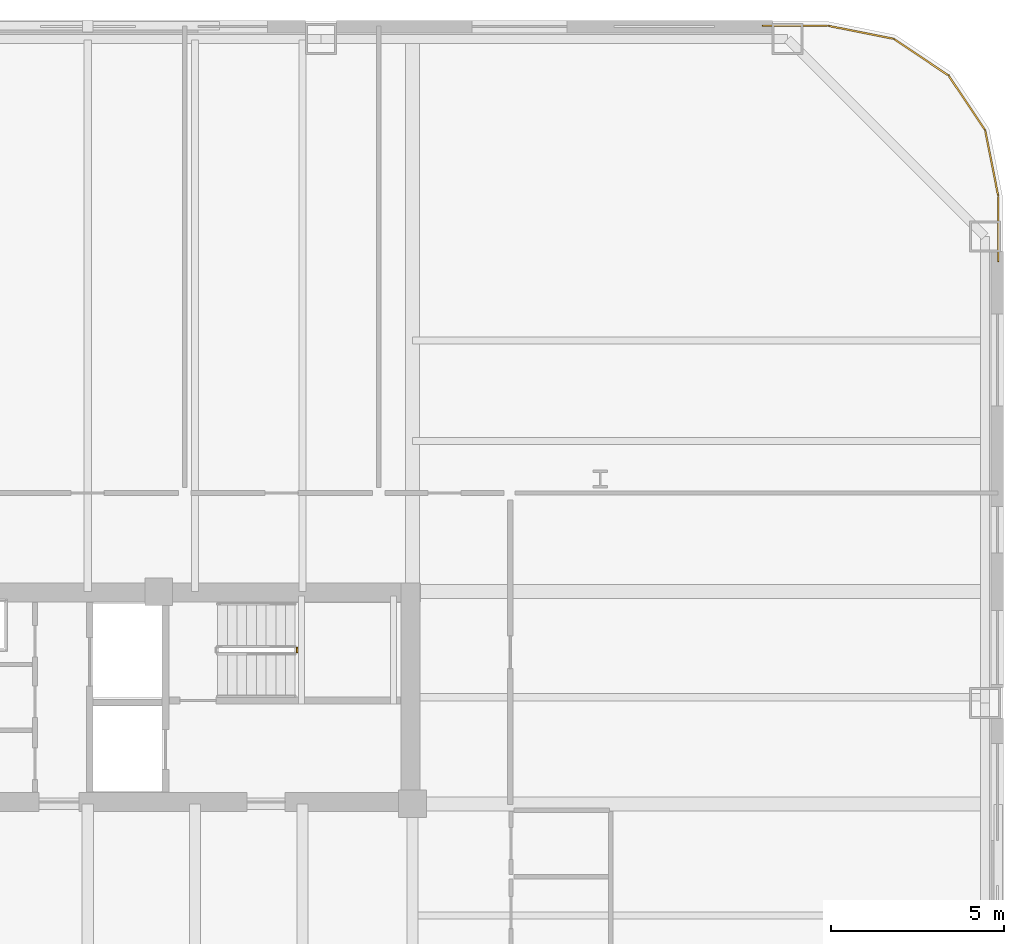
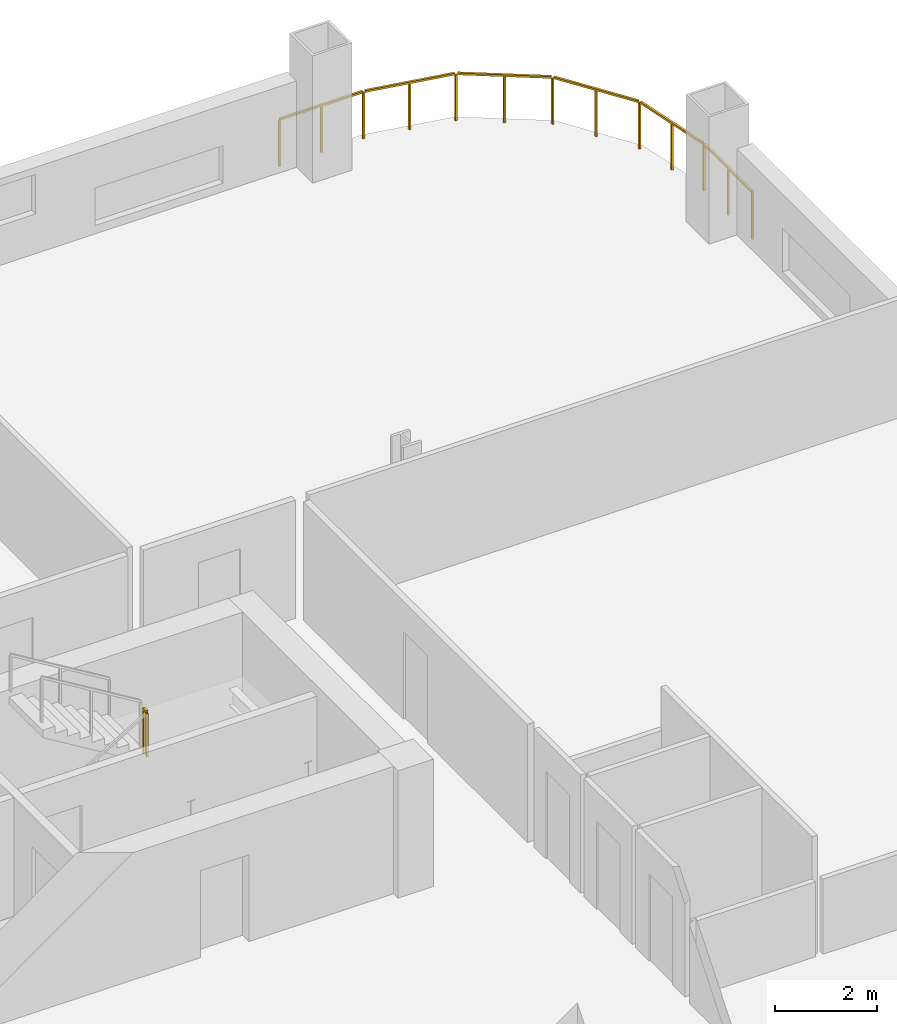
# One storey, part 12 of 12: 2 railings.
"""IFC4 building model written with IfcOpenShell, lengths in metres."""

from ifc_helpers import new_model, si_unit, direction, frame, origin, origin_2d, place, context, subcontext, project, spatial, rectangle, extrude, material, type_object, element, save


model = new_model("IFC4")

# Units and contexts
model_context = context("Model", 3, precision=1e-05, world=origin(), true_north=direction((0.0, 1.0)))
body_context = subcontext(model_context, "Body", "Model", "MODEL_VIEW")
ifc_project = project(units=[si_unit("LENGTHUNIT", "METRE"), si_unit("AREAUNIT", "SQUARE_METRE"), si_unit("VOLUMEUNIT", "CUBIC_METRE"), si_unit("PLANEANGLEUNIT", "RADIAN"), si_unit("MASSUNIT", "GRAM", prefix="KILO")], contexts=[model_context])

# Site, building, storey
site_placement = place(None, origin())
site = spatial("IfcSite", under=ifc_project, at=site_placement, CompositionType="ELEMENT")
building_placement = place(site_placement, origin())
building = spatial("IfcBuilding", under=site, at=building_placement, Name="Qhalaya Broadcast Tower", CompositionType="ELEMENT")
storey_placement = place(building_placement, frame((0.0, 0.0, 41.35009765625)))
storey = spatial("IfcBuildingStorey", under=building, at=storey_placement, Name="L11", CompositionType="ELEMENT", Elevation=41.35009765625)

# Railings
ifc_material = material(Name="Powder-Coated Galvanised Steel", Category="steel")
railing_type_1 = type_object("IfcRailingType", Name="Stair Well & Landing Guardrail 1100", PredefinedType="GUARDRAIL", material=ifc_material)
railing_1_placement = place(storey_placement, frame((6.0400390625, 8.199951171875, 1.52490234375)))
element("IfcRailing", 1, at=railing_1_placement, inside=storey, type_object=railing_type_1, Name="L11 ST-1 Stair Guard 2", PredefinedType="GUARDRAIL", context=body_context, shape_type="SweptSolid", body=[
    extrude(rectangle(XDim=0.048095703125, YDim=0.048095703125, at=origin_2d()), frame((0.0, 0.0, 1.076171875), z_axis=(0.0, 1.0, 0.0), x_axis=(-1.0, 0.0, 0.0)), (0.0, 0.0, 1.0), 0.1201171875),
    extrude(rectangle(XDim=0.0419921875, YDim=0.0419921875, at=origin_2d()), origin(), (0.0, 0.0, 1.0), 1.050048828125),
    extrude(rectangle(XDim=0.0419921875, YDim=0.0419921875, at=origin_2d()), frame((0.0, 0.1201171875, 0.0)), (0.0, 0.0, 1.0), 1.050048828125),
])
railing_type_2 = type_object("IfcRailingType", Name="Terrace, Sky-Pool & Lookout Glass Balustrade 1150", PredefinedType="BALUSTRADE", material=ifc_material)
railing_2_placement = place(storey_placement, frame((19.48193359375, 26.280029296875, 0.0)))
element("IfcRailing", 2, at=railing_2_placement, inside=storey, type_object=railing_type_2, Name="L11 Rounded Corner Perimeter Guard 04", PredefinedType="BALUSTRADE", context=body_context, shape_type="SweptSolid", body=[
    extrude(rectangle(XDim=0.048095703125, YDim=0.048095703125, at=origin_2d()), frame((0.0, 0.0, 1.1259765625), z_axis=(1.0, 0.0, 0.0), x_axis=(0.0, 1.0, 0.0)), (0.0, 0.0, 1.0), 1.87744140625),
    extrude(rectangle(XDim=0.048095703125, YDim=0.048095703125, at=origin_2d()), frame((1.9345703125, -0.005615234375, 1.1259765625), z_axis=(0.980795810058, -0.195037378397, 0.0), x_axis=(0.195037378397, 0.980795810058, 0.0)), (0.0, 0.0, 1.0), 1.857421875),
    extrude(rectangle(XDim=0.048095703125, YDim=0.048095703125, at=origin_2d()), frame((3.80859375, -0.3896484375, 1.1259765625), z_axis=(0.831477548332, -0.555558355728, 0.0), x_axis=(0.555558355728, 0.831477548332, 0.0)), (0.0, 0.0, 1.0), 1.845458984375),
    extrude(rectangle(XDim=0.048095703125, YDim=0.048095703125, at=origin_2d()), frame((5.38330078125, -1.454833984375, 1.1259765625), z_axis=(0.555558355728, -0.831477548332, 0.0), x_axis=(0.831477548332, 0.555558355728, 0.0)), (0.0, 0.0, 1.0), 1.845458984375),
    extrude(rectangle(XDim=0.048095703125, YDim=0.048095703125, at=origin_2d()), frame((6.43017578125, -3.041748046875, 1.1259765625), z_axis=(0.195037378397, -0.980795810058, 0.0), x_axis=(0.980795810058, 0.195037378397, 0.0)), (0.0, 0.0, 1.0), 1.857421875),
    extrude(rectangle(XDim=0.048095703125, YDim=0.048095703125, at=origin_2d()), frame((6.798095703125, -4.920654296875, 1.1259765625), z_axis=(0.0, -1.0, 0.0), x_axis=(1.0, 0.0, 0.0)), (0.0, 0.0, 1.0), 1.87744140625),
    extrude(rectangle(XDim=0.0419921875, YDim=0.0419921875, at=origin_2d()), origin(), (0.0, 0.0, 1.0), 1.099853515625),
    extrude(rectangle(XDim=0.0419921875, YDim=0.0419921875, at=origin_2d()), frame((0.953125, 0.0, 0.0)), (0.0, 0.0, 1.0), 1.099853515625),
    extrude(rectangle(XDim=0.0419921875, YDim=0.0419921875, at=origin_2d()), frame((1.90625, 0.0, 0.0)), (0.0, 0.0, 1.0), 1.099853515625),
    extrude(rectangle(XDim=0.0419921875, YDim=0.0419921875, at=origin_2d()), frame((2.845458984375, -0.186767578125, 0.0)), (0.0, 0.0, 1.0), 1.099853515625),
    extrude(rectangle(XDim=0.0419921875, YDim=0.0419921875, at=origin_2d()), frame((3.78466796875, -0.37353515625, 0.0)), (0.0, 0.0, 1.0), 1.099853515625),
    extrude(rectangle(XDim=0.0419921875, YDim=0.0419921875, at=origin_2d()), frame((4.575927734375, -0.90234375, 0.0)), (0.0, 0.0, 1.0), 1.099853515625),
    extrude(rectangle(XDim=0.0419921875, YDim=0.0419921875, at=origin_2d()), frame((5.3671875, -1.430908203125, 0.0)), (0.0, 0.0, 1.0), 1.099853515625),
    extrude(rectangle(XDim=0.0419921875, YDim=0.0419921875, at=origin_2d()), frame((5.89599609375, -2.22216796875, 0.0)), (0.0, 0.0, 1.0), 1.099853515625),
    extrude(rectangle(XDim=0.0419921875, YDim=0.0419921875, at=origin_2d()), frame((6.424560546875, -3.013427734375, 0.0)), (0.0, 0.0, 1.0), 1.099853515625),
    extrude(rectangle(XDim=0.0419921875, YDim=0.0419921875, at=origin_2d()), frame((6.611328125, -3.95263671875, 0.0)), (0.0, 0.0, 1.0), 1.099853515625),
    extrude(rectangle(XDim=0.0419921875, YDim=0.0419921875, at=origin_2d()), frame((6.798095703125, -4.891845703125, 0.0)), (0.0, 0.0, 1.0), 1.099853515625),
    extrude(rectangle(XDim=0.0419921875, YDim=0.0419921875, at=origin_2d()), frame((6.798095703125, -5.844970703125, 0.0)), (0.0, 0.0, 1.0), 1.099853515625),
    extrude(rectangle(XDim=0.0419921875, YDim=0.0419921875, at=origin_2d()), frame((6.798095703125, -6.798095703125, 0.0)), (0.0, 0.0, 1.0), 1.099853515625),
])

save(model, "model.ifc")
